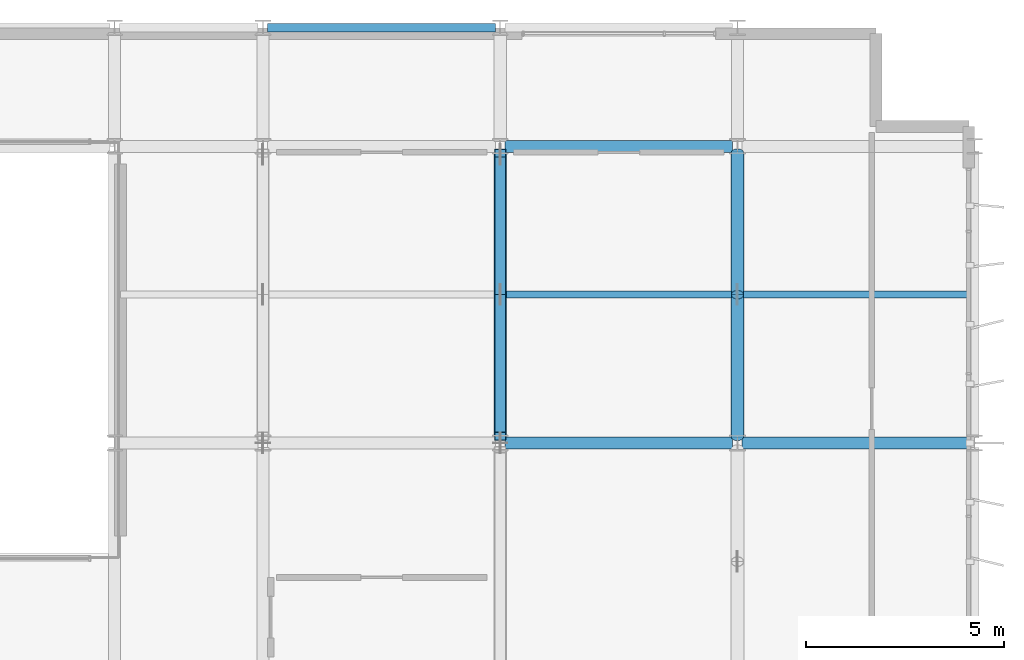
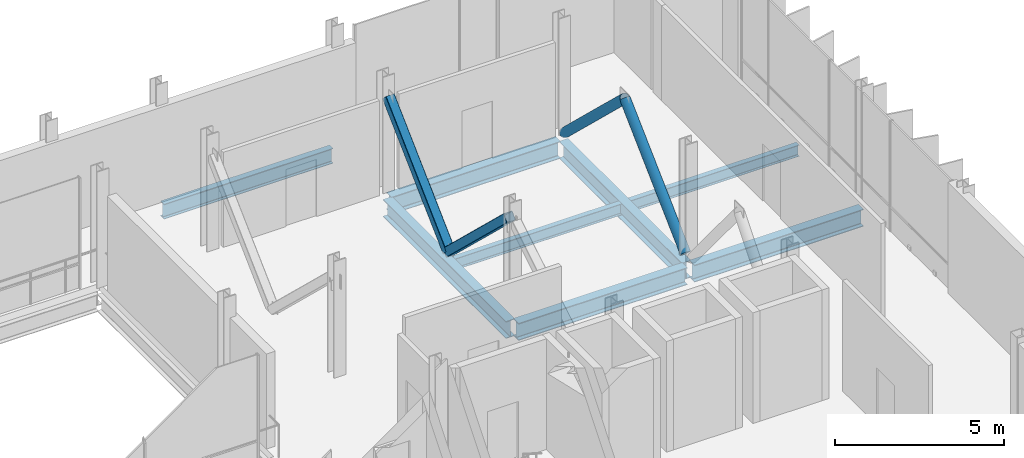
# One storey, part 21 of 33: 8 beams, 4 members.
"""IFC4 building model written with IfcOpenShell, lengths in metres."""

from ifc_helpers import new_model, si_unit, direction, frame, origin, origin_2d, place, context, subcontext, project, spatial, hollow_rectangle, hollow_circle, i_section, extrude, material, material_profile, profile_set, type_object, element, save


model = new_model("IFC4")

# Units and contexts
model_context = context("Model", 3, precision=1e-05, world=origin(), true_north=direction((0.0, 1.0)))
body_context = subcontext(model_context, "Body", "Model", "MODEL_VIEW")
ifc_project = project(units=[si_unit("LENGTHUNIT", "METRE"), si_unit("AREAUNIT", "SQUARE_METRE"), si_unit("VOLUMEUNIT", "CUBIC_METRE"), si_unit("PLANEANGLEUNIT", "RADIAN"), si_unit("MASSUNIT", "GRAM", prefix="KILO")], contexts=[model_context])

# Site, building, storey
site_placement = place(None, origin())
site = spatial("IfcSite", under=ifc_project, at=site_placement, CompositionType="ELEMENT")
building_placement = place(site_placement, origin())
building = spatial("IfcBuilding", under=site, at=building_placement, Name="Brevholm Reach", CompositionType="ELEMENT")
storey_placement = place(building_placement, frame((0.0, 0.0, 179.0)))
storey = spatial("IfcBuildingStorey", under=building, at=storey_placement, Name="L54", CompositionType="ELEMENT", Elevation=179.0)

# Beams
ifc_material_1 = material(Name="Structural Steel S355J2", Category="steel")
ifc_material_profile_1 = material_profile(ifc_material_1, i_section(OverallWidth=0.177978515625, OverallDepth=0.406494140625, WebThickness=0.0078125, FlangeThickness=0.0126953125, FilletRadius=0.01025390625, at=origin_2d()), Name="UKB 406x178x60")
ifc_profile_set_1 = profile_set([ifc_material_profile_1], Name="Structural Steel S355J2")
beam_type_1 = type_object("IfcBeamType", Name="BM-B406", PredefinedType="BEAM", material=ifc_profile_set_1)
beam_1_placement = place(storey_placement, frame((48.153564453125, 19.75, -0.463134765625), z_axis=(1.0, 0.0, 0.0), x_axis=(0.0, 1.0, 0.0)))
element("IfcBeam", 1, at=beam_1_placement, inside=storey, type_object=beam_type_1, Name="L54 Composite Secondary Floor Beam", PredefinedType="BEAM", context=body_context, shape_type="SweptSolid", body=[
    extrude(i_section(OverallWidth=0.177978515625, OverallDepth=0.406494140625, WebThickness=0.0078125, FlangeThickness=0.0126953125, FilletRadius=0.01025390625, at=origin_2d()), origin(), (0.0, 0.0, 1.0), 5.69287109375),
])
beam_2_placement = place(storey_placement, frame((54.153564453125, 19.75, -0.463134765625), z_axis=(1.0, 0.0, 0.0), x_axis=(0.0, 1.0, 0.0)))
element("IfcBeam", 2, at=beam_2_placement, inside=storey, type_object=beam_type_1, Name="L54 Composite Secondary Floor Beam", PredefinedType="BEAM", context=body_context, shape_type="SweptSolid", body=[
    extrude(i_section(OverallWidth=0.177978515625, OverallDepth=0.406494140625, WebThickness=0.0078125, FlangeThickness=0.0126953125, FilletRadius=0.01025390625, at=origin_2d()), origin(), (0.0, 0.0, 1.0), 5.740966796875),
])
ifc_material_2 = material(Name="Structural Steel S355J2", Category="steel")
ifc_material_profile_2 = material_profile(ifc_material_2, i_section(OverallWidth=0.210693359375, OverallDepth=0.53955078125, WebThickness=0.01171875, FlangeThickness=0.018798828125, FilletRadius=0.0126953125, at=origin_2d()), Name="UKB 533x210x109")
ifc_profile_set_2 = profile_set([ifc_material_profile_2], Name="Structural Steel S355J2")
beam_type_2 = type_object("IfcBeamType", Name="BM-SP539", PredefinedType="SPANDREL", material=ifc_profile_set_2)
beam_3_placement = place(storey_placement, frame((42.1201171875, 26.5, -0.52978515625), z_axis=(1.0, 0.0, 0.0), x_axis=(0.0, 1.0, 0.0)))
element("IfcBeam", 3, at=beam_3_placement, inside=storey, type_object=beam_type_2, Name="L54 SP-01B Framing Beam", PredefinedType="SPANDREL", context=body_context, shape_type="SweptSolid", body=[
    extrude(i_section(OverallWidth=0.210693359375, OverallDepth=0.53955078125, WebThickness=0.01171875, FlangeThickness=0.018798828125, FilletRadius=0.0126953125, at=origin_2d()), origin(), (0.0, 0.0, 1.0), 5.759765625),
])
ifc_material_3 = material(Name="Structural Steel S355J2", Category="steel")
ifc_material_profile_3 = material_profile(ifc_material_3, i_section(OverallWidth=0.30712890625, OverallDepth=0.6201171875, WebThickness=0.01416015625, FlangeThickness=0.023681640625, FilletRadius=0.0166015625, at=origin_2d()), Name="UKB 610x305x179")
ifc_profile_set_3 = profile_set([ifc_material_profile_3], Name="Structural Steel S355J2")
beam_type_3 = type_object("IfcBeamType", Name="BM-UKB610H", PredefinedType="USERDEFINED", material=ifc_profile_set_3)
for number, where, z_axis, x_axis, name in (
    (4, (48.1201171875, 16.0, -0.570068359375), (1.0, 0.0, 0.0), (0.0, 1.0, 0.0), "L54 G-06 Framing Beam"),
    (5, (54.1201171875, 16.0, -0.570068359375), (1.0, 0.0, 0.0), (0.0, 1.0, 0.0), "L54 G-06 Framing Beam"),
    (6, (48.1201171875, 23.5, -0.570068359375), (1.0, 0.0, 0.0), (0.0, 1.0, 0.0), "L54 G-06 Framing Beam"),
):
    element("IfcBeam", number, at=place(storey_placement, frame(where, z_axis=z_axis, x_axis=x_axis)), inside=storey, type_object=beam_type_3, Name=name, ObjectType="GIRDER", PredefinedType="USERDEFINED", context=body_context, shape_type="SweptSolid", body=[
        extrude(i_section(OverallWidth=0.30712890625, OverallDepth=0.6201171875, WebThickness=0.01416015625, FlangeThickness=0.023681640625, FilletRadius=0.0166015625, at=origin_2d()), origin(), (0.0, 0.0, 1.0), 5.759765625),
    ])
for number, where, z_axis, x_axis, name in (
    (7, (48.0, 16.1201171875, -0.570068359375), (0.0, 1.0, 0.0), (-1.0, 0.0, 0.0), "L54 G-06 Framing Beam"),
    (8, (54.0, 16.1201171875, -0.570068359375), (0.0, 1.0, 0.0), (-1.0, 0.0, 0.0), "L54 G-06 Framing Beam"),
):
    element("IfcBeam", number, at=place(storey_placement, frame(where, z_axis=z_axis, x_axis=x_axis)), inside=storey, type_object=beam_type_3, Name=name, ObjectType="GIRDER", PredefinedType="USERDEFINED", context=body_context, shape_type="SweptSolid", body=[
        extrude(i_section(OverallWidth=0.30712890625, OverallDepth=0.6201171875, WebThickness=0.01416015625, FlangeThickness=0.023681640625, FilletRadius=0.0166015625, at=origin_2d()), origin(), (0.0, 0.0, 1.0), 7.259765625),
    ])

# Members
ifc_material_4 = material(Name="Structural Steel S355J2H", Category="steel")
ifc_material_profile_4 = material_profile(ifc_material_4, hollow_circle(Radius=0.161865234375, WallThickness=0.012451171875, at=origin_2d()), Name="CHS 323.9x12.5")
ifc_profile_set_4 = profile_set([ifc_material_profile_4], Name="Structural Steel S355J2H")
member_type_1 = type_object("IfcMemberType", Name="MEM-BB-CHS324", PredefinedType="BRACE", material=ifc_profile_set_4)
for number, where, z_axis, x_axis, name in (
    (9, (54.0, 16.169921875, 0.02001953125), (0.0, 0.723539227798, 0.690283264927), (-1.0, 0.0, 0.0), "L54 Belt Truss Brace BB-04A"),
    (10, (54.0, 19.75, 3.435546875), (0.0, 0.723539227798, -0.690283264927), (-1.0, 0.0, 0.0), "L54 Belt Truss Brace BB-04B"),
):
    element("IfcMember", number, at=place(storey_placement, frame(where, z_axis=z_axis, x_axis=x_axis)), inside=storey, type_object=member_type_1, Name=name, PredefinedType="BRACE", context=body_context, shape_type="SweptSolid", body=[
        extrude(hollow_circle(Radius=0.161865234375, WallThickness=0.012451171875, at=origin_2d()), origin(), (0.0, 0.0, 1.0), 4.947998046875),
    ])
ifc_material_5 = material(Name="Structural Steel S460NH", Category="steel")
ifc_material_profile_5 = material_profile(ifc_material_5, hollow_rectangle(XDim=0.300048828125, YDim=0.300048828125, WallThickness=0.012451171875, InnerFilletRadius=0.011962890625, OuterFilletRadius=0.02392578125, at=origin_2d()), Name="SHS 300x300x12.5")
ifc_profile_set_5 = profile_set([ifc_material_profile_5], Name="Structural Steel S460NH")
member_type_2 = type_object("IfcMemberType", Name="MEM-OB-SHS300", PredefinedType="BRACE", material=ifc_profile_set_5)
for number, where, z_axis, x_axis, name in (
    (11, (48.0, 16.169921875, 3.435546875), (0.0, 0.723539227798, -0.690283264927), (-1.0, 0.0, 0.0), "L54 Outrigger Truss Diagonal X48.2"),
    (12, (48.0, 19.75, 0.02001953125), (0.0, 0.723539227798, 0.690283264927), (-1.0, 0.0, 0.0), "L54 Outrigger Truss Diagonal X48.3"),
):
    element("IfcMember", number, at=place(storey_placement, frame(where, z_axis=z_axis, x_axis=x_axis)), inside=storey, type_object=member_type_2, Name=name, PredefinedType="BRACE", context=body_context, shape_type="SweptSolid", body=[
        extrude(hollow_rectangle(XDim=0.300048828125, YDim=0.300048828125, WallThickness=0.012451171875, InnerFilletRadius=0.011962890625, OuterFilletRadius=0.02392578125, at=origin_2d()), origin(), (0.0, 0.0, 1.0), 4.947998046875),
    ])

save(model, "model.ifc")
